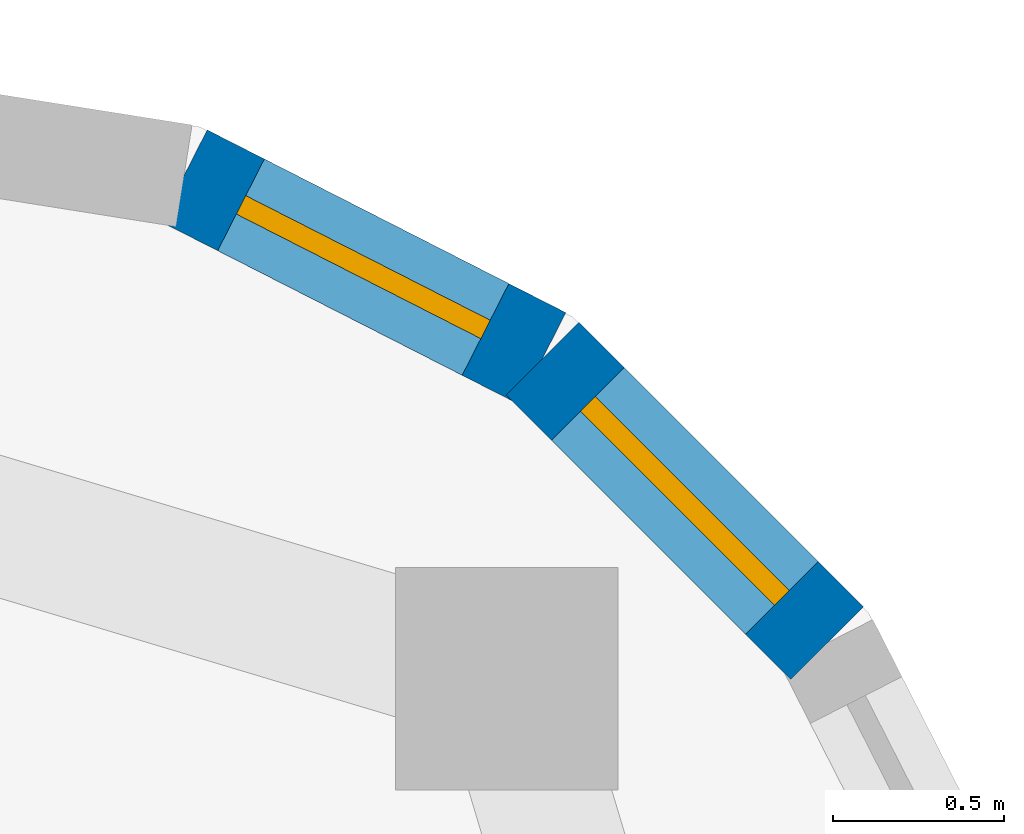
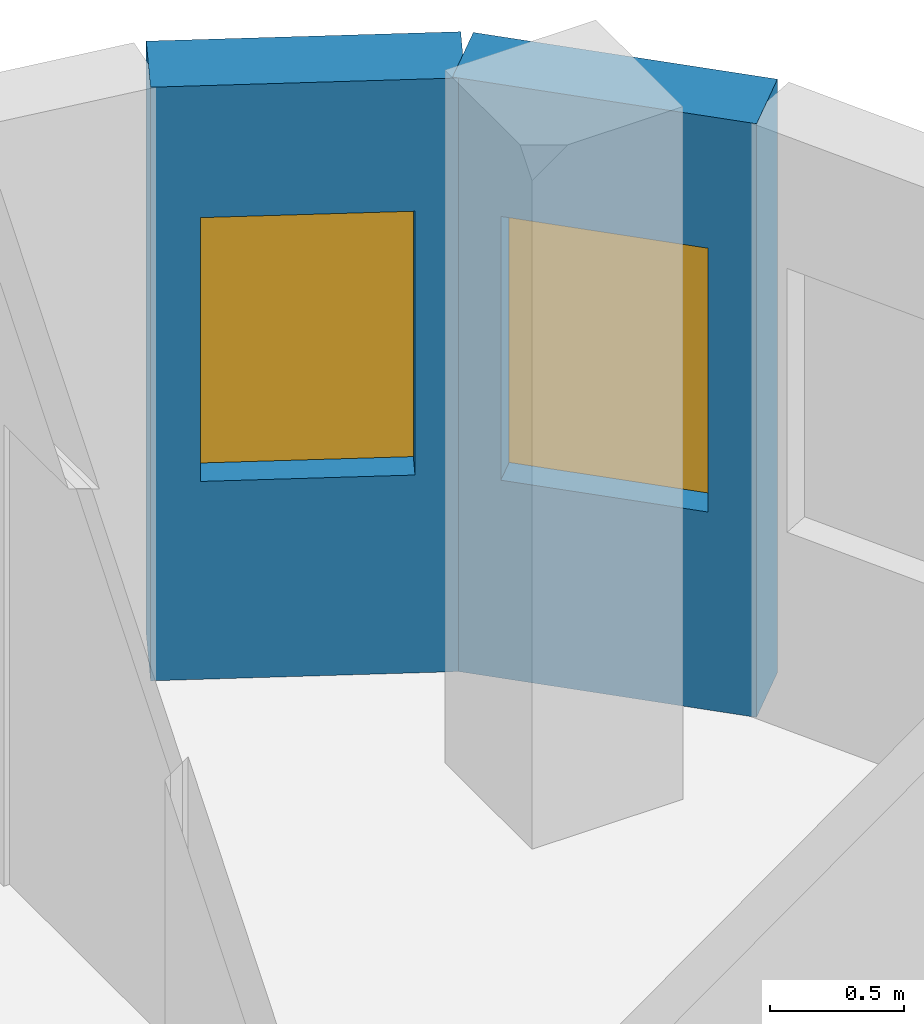
# One storey, part 9 of 13: 2 walls, 2 windows, 2 openings.
"""IFC4 building model written with IfcOpenShell, lengths in metres."""

from ifc_helpers import new_model, si_unit, direction, frame, frame_2d, origin, place, context, subcontext, project, spatial, rectangle, extrude, material, layer, layer_set, type_object, element, fill, save


model = new_model("IFC4")

# Units and contexts
model_context = context("Model", 3, precision=1e-05, world=origin(), true_north=direction((0.0, 1.0)))
body_context = subcontext(model_context, "Body", "Model", "MODEL_VIEW")
ifc_project = project(units=[si_unit("LENGTHUNIT", "METRE"), si_unit("AREAUNIT", "SQUARE_METRE"), si_unit("VOLUMEUNIT", "CUBIC_METRE"), si_unit("PLANEANGLEUNIT", "RADIAN"), si_unit("MASSUNIT", "GRAM", prefix="KILO")], contexts=[model_context])

# Site, building, storey
site_placement = place(None, origin())
site = spatial("IfcSite", under=ifc_project, at=site_placement, CompositionType="ELEMENT")
building_placement = place(site_placement, origin())
building = spatial("IfcBuilding", under=site, at=building_placement, Name="Ludao Terraces", CompositionType="ELEMENT")
storey_placement = place(building_placement, frame((0.0, 0.0, 246.0)))
storey = spatial("IfcBuildingStorey", under=building, at=storey_placement, Name="L67", CompositionType="ELEMENT", Elevation=246.0)

# Wall, opening, window
ifc_material_1 = material(Name="Granite cladding", Category="masonry")
ifc_layer_1 = layer(ifc_material_1, 0.0400390625, Category="stone")
ifc_material_2 = material(Name="Mineral wool")
ifc_layer_2 = layer(ifc_material_2, 0.06005859375)
ifc_material_3 = material(Name="Concrete C40", Category="concrete")
ifc_layer_3 = layer(ifc_material_3, 0.199951171875, Category="concrete")
ifc_layer_set_1 = layer_set([ifc_layer_1, ifc_layer_2, ifc_layer_3], Name="ENV Stone-clad wall 300")
wall_type = type_object("IfcWallType", Name="ENV Stone-clad wall 300", PredefinedType="SOLIDWALL", material=ifc_layer_set_1)
wall_1_placement = place(storey_placement, frame((103.6337890625, 82.80419921875, 0.0), z_axis=(0.0, 0.0, 1.0), x_axis=(-0.707106781187, 0.707106781187, 0.0)))
wall_1 = element("IfcWall", 1, at=wall_1_placement, inside=storey, type_object=wall_type, Name="EW-L67-NE3", PredefinedType="SOLIDWALL", context=body_context, shape_type="SweptSolid", body=[
    extrude(rectangle(XDim=1.173095703125, YDim=0.300048828125, at=frame_2d((0.58642578125, 0.0))), origin(), (0.0, 0.0, 1.0), 2.699951171875),
])
opening_1_placement = place(wall_1_placement, frame((0.1865234375, 0.0, 0.89990234375)))
opening_1 = element("IfcOpeningElement", 2, at=opening_1_placement, cuts=wall_1, Name="Opening W3", PredefinedType="OPENING", context=body_context, shape_type="SweptSolid", body=[
    extrude(rectangle(XDim=0.800048828125, YDim=1.199951171875, at=frame_2d((0.39990234375, 0.60009765625))), frame((0.0, 0.16015625, 0.0), z_axis=(0.0, -1.0, 0.0), x_axis=(1.0, 0.0, 0.0)), (0.0, 0.0, 1.0), 0.320068359375),
])
ifc_material_4 = material(Name="Clear glass in aluminium frame", Category="aluminium")
ifc_layer_4 = layer(ifc_material_4, 0.06005859375)
ifc_layer_set_2 = layer_set([ifc_layer_4], Name="ENV Window W3 800x1200")
window_type = type_object("IfcWindowType", Name="ENV Window W3 800x1200", PartitioningType="SINGLE_PANEL", PredefinedType="WINDOW", material=ifc_layer_set_2)
window_1_placement = place(opening_1_placement, origin())
window_1 = element("IfcWindow", 3, at=window_1_placement, inside=storey, type_object=window_type, Name="W-L67-NE3", OverallHeight=1.199951171875, OverallWidth=0.800048828125, PartitioningType="SINGLE_PANEL", PredefinedType="WINDOW", context=body_context, shape_type="SweptSolid", body=[
    extrude(rectangle(XDim=0.800048828125, YDim=1.199951171875, at=frame_2d((0.39990234375, 0.60009765625))), frame((0.0, 0.030029296875, 0.0), z_axis=(0.0, -1.0, 0.0), x_axis=(1.0, 0.0, 0.0)), (0.0, 0.0, 1.0), 0.06005859375),
])
fill(opening_1, window_1)

wall_2_placement = place(storey_placement, frame((102.80419921875, 83.6337890625, 0.0), z_axis=(0.0, 0.0, 1.0), x_axis=(-0.890988677504, 0.454025524128, 0.0)))
wall_2 = element("IfcWall", 4, at=wall_2_placement, inside=storey, type_object=wall_type, Name="EW-L67-NE4", PredefinedType="SOLIDWALL", context=body_context, shape_type="SweptSolid", body=[
    extrude(rectangle(XDim=1.17333984375, YDim=0.300048828125, at=frame_2d((0.586669921875, 0.0))), origin(), (0.0, 0.0, 1.0), 2.699951171875),
])
opening_2_placement = place(wall_2_placement, frame((0.1865234375, 0.0, 0.89990234375)))
opening_2 = element("IfcOpeningElement", 5, at=opening_2_placement, cuts=wall_2, Name="Opening W3", PredefinedType="OPENING", context=body_context, shape_type="SweptSolid", body=[
    extrude(rectangle(XDim=0.800048828125, YDim=1.199951171875, at=frame_2d((0.39990234375, 0.60009765625))), frame((0.0, 0.16015625, 0.0), z_axis=(0.0, -1.0, 0.0), x_axis=(1.0, 0.0, 0.0)), (0.0, 0.0, 1.0), 0.320068359375),
])
window_2_placement = place(opening_2_placement, origin())
window_2 = element("IfcWindow", 6, at=window_2_placement, inside=storey, type_object=window_type, Name="W-L67-NE4", OverallHeight=1.199951171875, OverallWidth=0.800048828125, PartitioningType="SINGLE_PANEL", PredefinedType="WINDOW", context=body_context, shape_type="SweptSolid", body=[
    extrude(rectangle(XDim=0.800048828125, YDim=1.199951171875, at=frame_2d((0.39990234375, 0.60009765625))), frame((0.0, 0.030029296875, 0.0), z_axis=(0.0, -1.0, 0.0), x_axis=(1.0, 0.0, 0.0)), (0.0, 0.0, 1.0), 0.06005859375),
])
fill(opening_2, window_2)

save(model, "model.ifc")
